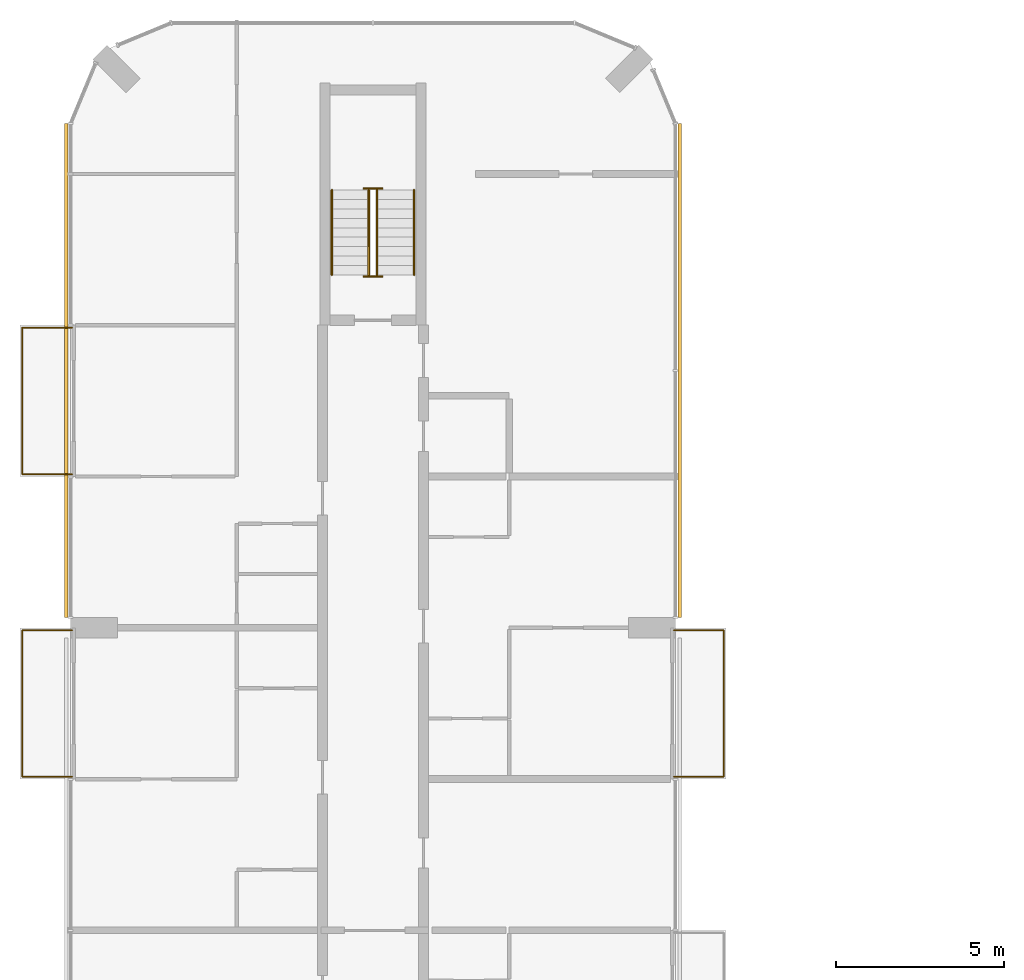
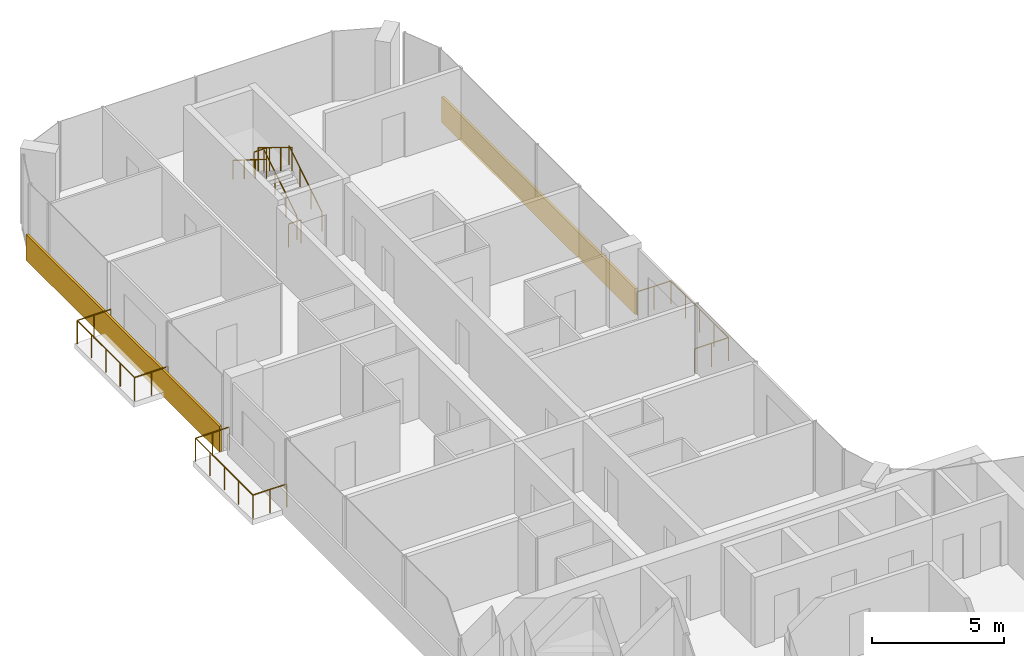
# One storey, part 15 of 15: 9 railings, 2 coverings.
"""IFC4 building model written with IfcOpenShell, lengths in metres."""

from ifc_helpers import new_model, si_unit, direction, frame, origin, origin_2d, place, context, subcontext, project, spatial, rectangle, circle, extrude, material, layer, layer_set, type_object, element, save


model = new_model("IFC4")

# Units and contexts
model_context = context("Model", 3, precision=1e-05, world=origin(), true_north=direction((0.0, 1.0)))
body_context = subcontext(model_context, "Body", "Model", "MODEL_VIEW")
ifc_project = project(units=[si_unit("LENGTHUNIT", "METRE"), si_unit("AREAUNIT", "SQUARE_METRE"), si_unit("VOLUMEUNIT", "CUBIC_METRE"), si_unit("PLANEANGLEUNIT", "RADIAN"), si_unit("MASSUNIT", "GRAM", prefix="KILO")], contexts=[model_context])

# Site, building, storey
site_placement = place(None, origin())
site = spatial("IfcSite", under=ifc_project, at=site_placement, CompositionType="ELEMENT")
building_placement = place(site_placement, origin())
building = spatial("IfcBuilding", under=site, at=building_placement, Name="Plateau Cross Towers", CompositionType="ELEMENT")
storey_placement = place(building_placement, frame((0.0, 0.0, 149.89990234375)))
storey = spatial("IfcBuildingStorey", under=building, at=storey_placement, Name="L38", CompositionType="ELEMENT", Elevation=149.89990234375)

# Railings
ifc_material_1 = material(Name="Stainless steel and toughened glass", Category="steel")
railing_type_1 = type_object("IfcRailingType", Name="Glass balustrade guard 1100", PredefinedType="GUARDRAIL", material=ifc_material_1)
for number, where, name in (
    (1, (0.050048828125, 31.570068359375, 0.0), "Guard guard1"),
    (2, (0.050048828125, 40.570068359375, 0.0), "Guard guard1"),
):
    element("IfcRailing", number, at=place(storey_placement, frame(where)), inside=storey, type_object=railing_type_1, Name=name, PredefinedType="GUARDRAIL", context=body_context, shape_type="SweptSolid", body=[
        extrude(circle(Radius=0.02392578125, at=origin_2d()), frame((0.0, 0.0, 1.076171875), z_axis=(-1.0, 0.0, 0.0), x_axis=(0.0, -1.0, 0.0)), (0.0, 0.0, 1.0), 1.47998046875),
        extrude(circle(Radius=0.02392578125, at=origin_2d()), frame((-1.47998046875, 0.0, 1.076171875), z_axis=(0.0, 1.0, 0.0), x_axis=(-1.0, 0.0, 0.0)), (0.0, 0.0, 1.0), 4.35986328125),
        extrude(circle(Radius=0.02392578125, at=origin_2d()), frame((-1.47998046875, 4.35986328125, 1.076171875), z_axis=(1.0, 0.0, 0.0), x_axis=(0.0, 1.0, 0.0)), (0.0, 0.0, 1.0), 1.47998046875),
        extrude(circle(Radius=0.02099609375, at=origin_2d()), origin(), (0.0, 0.0, 1.0), 1.052001953125),
        extrude(circle(Radius=0.02099609375, at=origin_2d()), frame((-0.739990234375, 0.0, 0.0)), (0.0, 0.0, 1.0), 1.052001953125),
        extrude(circle(Radius=0.02099609375, at=origin_2d()), frame((-1.47998046875, 0.0, 0.0)), (0.0, 0.0, 1.0), 1.052001953125),
        extrude(circle(Radius=0.02099609375, at=origin_2d()), frame((-1.47998046875, 1.08984375, 0.0)), (0.0, 0.0, 1.0), 1.052001953125),
        extrude(circle(Radius=0.02099609375, at=origin_2d()), frame((-1.47998046875, 2.179931640625, 0.0)), (0.0, 0.0, 1.0), 1.052001953125),
        extrude(circle(Radius=0.02099609375, at=origin_2d()), frame((-1.47998046875, 3.27001953125, 0.0)), (0.0, 0.0, 1.0), 1.052001953125),
        extrude(circle(Radius=0.02099609375, at=origin_2d()), frame((-1.47998046875, 4.35986328125, 0.0)), (0.0, 0.0, 1.0), 1.052001953125),
        extrude(circle(Radius=0.02099609375, at=origin_2d()), frame((-0.739990234375, 4.35986328125, 0.0)), (0.0, 0.0, 1.0), 1.052001953125),
        extrude(circle(Radius=0.02099609375, at=origin_2d()), frame((0.0, 4.35986328125, 0.0)), (0.0, 0.0, 1.0), 1.052001953125),
    ])
railing_1_placement = place(storey_placement, frame((17.949951171875, 35.929931640625, 0.0)))
element("IfcRailing", 3, at=railing_1_placement, inside=storey, type_object=railing_type_1, Name="Guard guard1", PredefinedType="GUARDRAIL", context=body_context, shape_type="SweptSolid", body=[
    extrude(circle(Radius=0.02392578125, at=origin_2d()), frame((0.0, 0.0, 1.076171875), z_axis=(1.0, 0.0, 0.0), x_axis=(0.0, 1.0, 0.0)), (0.0, 0.0, 1.0), 1.47998046875),
    extrude(circle(Radius=0.02392578125, at=origin_2d()), frame((1.47998046875, 0.0, 1.076171875), z_axis=(0.0, -1.0, 0.0), x_axis=(1.0, 0.0, 0.0)), (0.0, 0.0, 1.0), 4.35986328125),
    extrude(circle(Radius=0.02392578125, at=origin_2d()), frame((1.47998046875, -4.35986328125, 1.076171875), z_axis=(-1.0, 0.0, 0.0), x_axis=(0.0, -1.0, 0.0)), (0.0, 0.0, 1.0), 1.47998046875),
    extrude(circle(Radius=0.02099609375, at=origin_2d()), origin(), (0.0, 0.0, 1.0), 1.052001953125),
    extrude(circle(Radius=0.02099609375, at=origin_2d()), frame((0.739990234375, 0.0, 0.0)), (0.0, 0.0, 1.0), 1.052001953125),
    extrude(circle(Radius=0.02099609375, at=origin_2d()), frame((1.47998046875, 0.0, 0.0)), (0.0, 0.0, 1.0), 1.052001953125),
    extrude(circle(Radius=0.02099609375, at=origin_2d()), frame((1.47998046875, -1.08984375, 0.0)), (0.0, 0.0, 1.0), 1.052001953125),
    extrude(circle(Radius=0.02099609375, at=origin_2d()), frame((1.47998046875, -2.179931640625, 0.0)), (0.0, 0.0, 1.0), 1.052001953125),
    extrude(circle(Radius=0.02099609375, at=origin_2d()), frame((1.47998046875, -3.27001953125, 0.0)), (0.0, 0.0, 1.0), 1.052001953125),
    extrude(circle(Radius=0.02099609375, at=origin_2d()), frame((1.47998046875, -4.35986328125, 0.0)), (0.0, 0.0, 1.0), 1.052001953125),
    extrude(circle(Radius=0.02099609375, at=origin_2d()), frame((0.739990234375, -4.35986328125, 0.0)), (0.0, 0.0, 1.0), 1.052001953125),
    extrude(circle(Radius=0.02099609375, at=origin_2d()), frame((0.0, -4.35986328125, 0.0)), (0.0, 0.0, 1.0), 1.052001953125),
])
railing_type_2 = type_object("IfcRailingType", Name="RL-GUARD-1100", PredefinedType="GUARDRAIL", material=ifc_material_1)
railing_2_placement = place(storey_placement, frame((9.125, 46.5, 0.175048828125)))
element("IfcRailing", 4, at=railing_2_placement, inside=storey, type_object=railing_type_2, Name="L38 ES-N stair guard 1", PredefinedType="GUARDRAIL", context=body_context, shape_type="SweptSolid", body=[
    extrude(circle(Radius=0.02392578125, at=origin_2d()), frame((0.0, 0.0, 1.076171875), z_axis=(0.0, 0.848007534815, 0.529984170421), x_axis=(-1.0, 0.0, 0.0)), (0.0, 0.0, 1.0), 2.9716796875),
    extrude(circle(Radius=0.02099609375, at=origin_2d()), origin(), (0.0, 0.0, 1.0), 1.052001953125),
    extrude(circle(Radius=0.02099609375, at=origin_2d()), frame((0.0, 0.840087890625, 0.52490234375)), (0.0, 0.0, 1.0), 1.052001953125),
    extrude(circle(Radius=0.02099609375, at=origin_2d()), frame((0.0, 1.679931640625, 1.050048828125)), (0.0, 0.0, 1.0), 1.052001953125),
    extrude(circle(Radius=0.02099609375, at=origin_2d()), frame((0.0, 2.52001953125, 1.574951171875)), (0.0, 0.0, 1.0), 1.052001953125),
])
railing_3_placement = place(storey_placement, frame((9.27490234375, 49.070068359375, 1.75)))
element("IfcRailing", 5, at=railing_3_placement, inside=storey, type_object=railing_type_2, Name="L38 ES-N stair guard 2", PredefinedType="GUARDRAIL", context=body_context, shape_type="SweptSolid", body=[
    extrude(circle(Radius=0.02392578125, at=origin_2d()), frame((0.0, 0.0, 1.076171875), z_axis=(-1.0, 0.0, 0.0), x_axis=(0.0, -1.0, 0.0)), (0.0, 0.0, 1.0), 0.5498046875),
    extrude(circle(Radius=0.02099609375, at=origin_2d()), origin(), (0.0, 0.0, 1.0), 1.052001953125),
    extrude(circle(Radius=0.02099609375, at=origin_2d()), frame((-0.5498046875, 0.0, 0.0)), (0.0, 0.0, 1.0), 1.052001953125),
])
railing_4_placement = place(storey_placement, frame((8.875, 49.02001953125, 1.925048828125)))
element("IfcRailing", 6, at=railing_4_placement, inside=storey, type_object=railing_type_2, Name="L38 ES-N stair guard 3", PredefinedType="GUARDRAIL", context=body_context, shape_type="SweptSolid", body=[
    extrude(circle(Radius=0.02392578125, at=origin_2d()), frame((0.0, 0.0, 1.076171875), z_axis=(0.0, -0.852638500773, 0.522501279423), x_axis=(1.0, 0.0, 0.0)), (0.0, 0.0, 1.0), 3.01416015625),
    extrude(circle(Radius=0.02099609375, at=origin_2d()), origin(), (0.0, 0.0, 1.0), 1.052001953125),
    extrude(circle(Radius=0.02099609375, at=origin_2d()), frame((0.0, -0.856689453125, 0.52490234375)), (0.0, 0.0, 1.0), 1.052001953125),
    extrude(circle(Radius=0.02099609375, at=origin_2d()), frame((0.0, -1.71337890625, 1.050048828125)), (0.0, 0.0, 1.0), 1.052001953125),
    extrude(circle(Radius=0.02099609375, at=origin_2d()), frame((0.0, -2.570068359375, 1.574951171875)), (0.0, 0.0, 1.0), 1.052001953125),
])
railing_5_placement = place(storey_placement, frame((9.27490234375, 46.449951171875, 0.0)))
element("IfcRailing", 7, at=railing_5_placement, inside=storey, type_object=railing_type_2, Name="L38 ES-N stair guard 4", PredefinedType="GUARDRAIL", context=body_context, shape_type="SweptSolid", body=[
    extrude(circle(Radius=0.02392578125, at=origin_2d()), frame((0.0, 0.0, 1.076171875), z_axis=(-1.0, 0.0, 0.0), x_axis=(0.0, -1.0, 0.0)), (0.0, 0.0, 1.0), 0.5498046875),
    extrude(circle(Radius=0.02099609375, at=origin_2d()), origin(), (0.0, 0.0, 1.0), 1.052001953125),
    extrude(circle(Radius=0.02099609375, at=origin_2d()), frame((-0.5498046875, 0.0, 0.0)), (0.0, 0.0, 1.0), 1.052001953125),
])
ifc_material_2 = material(Name="Black anodised aluminium", Category="aluminium")
railing_type_3 = type_object("IfcRailingType", Name="RL-HANDRAIL-900", PredefinedType="HANDRAIL", material=ifc_material_2)
railing_6_placement = place(storey_placement, frame((10.22509765625, 46.5, 0.175048828125)))
element("IfcRailing", 8, at=railing_6_placement, inside=storey, type_object=railing_type_3, Name="L38 ES-N stair handrail 1", PredefinedType="HANDRAIL", context=body_context, shape_type="SweptSolid", body=[
    extrude(circle(Radius=0.02392578125, at=origin_2d()), frame((0.0, 0.0, 0.8759765625), z_axis=(0.0, 0.848007534815, 0.529984170421), x_axis=(-1.0, 0.0, 0.0)), (0.0, 0.0, 1.0), 2.9716796875),
    extrude(circle(Radius=0.02099609375, at=origin_2d()), origin(), (0.0, 0.0, 1.0), 0.851806640625),
    extrude(circle(Radius=0.02099609375, at=origin_2d()), frame((0.0, 0.840087890625, 0.52490234375)), (0.0, 0.0, 1.0), 0.851806640625),
    extrude(circle(Radius=0.02099609375, at=origin_2d()), frame((0.0, 1.679931640625, 1.050048828125)), (0.0, 0.0, 1.0), 0.851806640625),
    extrude(circle(Radius=0.02099609375, at=origin_2d()), frame((0.0, 2.52001953125, 1.574951171875)), (0.0, 0.0, 1.0), 0.851806640625),
])
railing_7_placement = place(storey_placement, frame((7.77490234375, 49.02001953125, 1.925048828125)))
element("IfcRailing", 9, at=railing_7_placement, inside=storey, type_object=railing_type_3, Name="L38 ES-N stair handrail 2", PredefinedType="HANDRAIL", context=body_context, shape_type="SweptSolid", body=[
    extrude(circle(Radius=0.02392578125, at=origin_2d()), frame((0.0, 0.0, 0.8759765625), z_axis=(0.0, -0.848007534815, 0.529984170421), x_axis=(1.0, 0.0, 0.0)), (0.0, 0.0, 1.0), 2.9716796875),
    extrude(circle(Radius=0.02099609375, at=origin_2d()), origin(), (0.0, 0.0, 1.0), 0.851806640625),
    extrude(circle(Radius=0.02099609375, at=origin_2d()), frame((0.0, -0.840087890625, 0.52490234375)), (0.0, 0.0, 1.0), 0.851806640625),
    extrude(circle(Radius=0.02099609375, at=origin_2d()), frame((0.0, -1.679931640625, 1.050048828125)), (0.0, 0.0, 1.0), 0.851806640625),
    extrude(circle(Radius=0.02099609375, at=origin_2d()), frame((0.0, -2.52001953125, 1.574951171875)), (0.0, 0.0, 1.0), 0.851806640625),
])

# Coverings
ifc_material_3 = material(Name="Precast concrete cladding C40/50", Category="concrete")
ifc_layer = layer(ifc_material_3, 0.10009765625)
ifc_layer_set = layer_set([ifc_layer], Name="Precast concrete cladding C40/50")
covering_type = type_object("IfcCoveringType", Name="Spandrel band cladding 100x1200", PredefinedType="CLADDING", material=ifc_layer_set)
for number, where, z_axis, x_axis, name in (
    (10, (18.1201171875, 43.64990234375, -0.25), (0.0, 0.0, 1.0), (0.0, 1.0, 0.0), "Spandrel band"),
    (11, (-0.1201171875, 43.64990234375, -0.25), (0.0, 0.0, 1.0), (0.0, -1.0, 0.0), "Spandrel band"),
):
    element("IfcCovering", number, at=place(storey_placement, frame(where, z_axis=z_axis, x_axis=x_axis)), inside=storey, type_object=covering_type, Name=name, PredefinedType="CLADDING", context=body_context, shape_type="SweptSolid", body=[
        extrude(rectangle(XDim=14.699951171875, YDim=0.10009765625, at=origin_2d()), origin(), (0.0, 0.0, 1.0), 1.199951171875),
    ])

save(model, "model.ifc")
